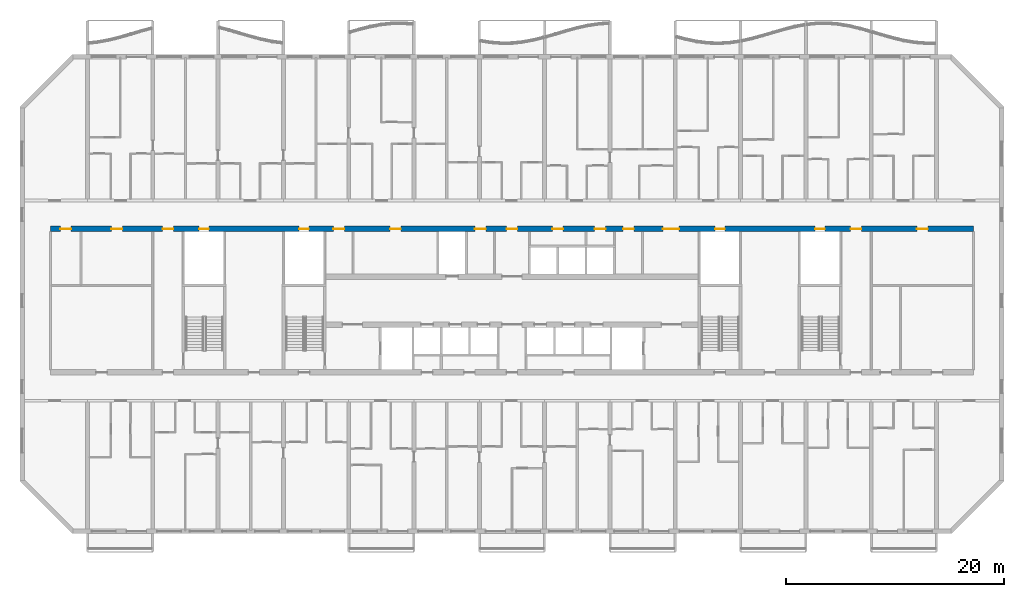
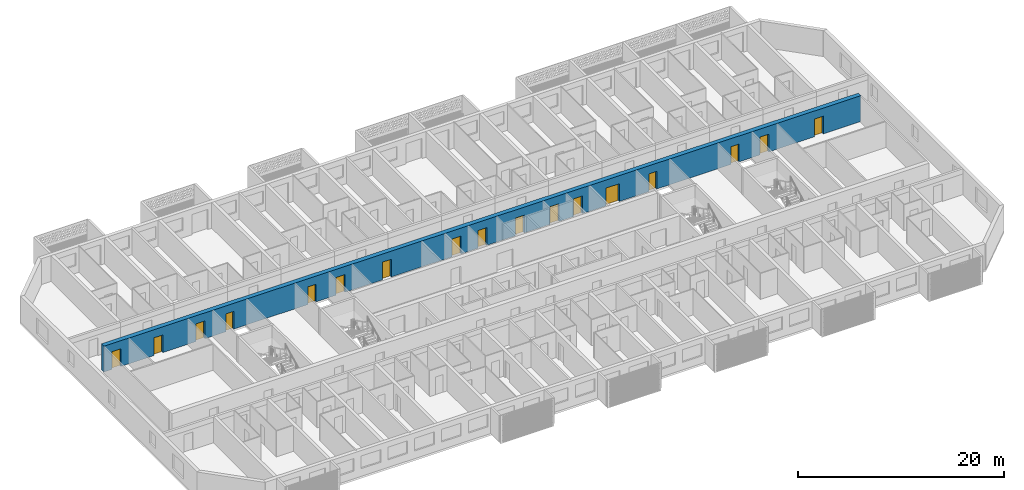
# One storey, part 8 of 27: 17 doors, 1 wall, 17 openings.
"""IFC4 building model written with IfcOpenShell, lengths in metres."""

from ifc_helpers import new_model, si_unit, direction, frame, frame_2d, origin, place, context, subcontext, project, spatial, rectangle, extrude, material, layer, layer_set, type_object, element, fill, save


model = new_model("IFC4")

# Units and contexts
model_context = context("Model", 3, precision=1e-05, world=origin(), true_north=direction((0.0, 1.0)))
body_context = subcontext(model_context, "Body", "Model", "MODEL_VIEW")
ifc_project = project(units=[si_unit("LENGTHUNIT", "METRE"), si_unit("AREAUNIT", "SQUARE_METRE"), si_unit("VOLUMEUNIT", "CUBIC_METRE"), si_unit("PLANEANGLEUNIT", "RADIAN"), si_unit("MASSUNIT", "GRAM", prefix="KILO")], contexts=[model_context])

# Site, building, storey
site_placement = place(None, origin())
site = spatial("IfcSite", under=ifc_project, at=site_placement, CompositionType="ELEMENT")
building_placement = place(site_placement, origin())
building = spatial("IfcBuilding", under=site, at=building_placement, Name="Poui Terraces", CompositionType="ELEMENT")
storey_placement = place(building_placement, frame((0.0, 0.0, 92.699951171875)))
storey = spatial("IfcBuildingStorey", under=building, at=storey_placement, Name="L25", CompositionType="ELEMENT", Elevation=92.699951171875)

# Wall, openings, doors
ifc_material_1 = material(Name="Concrete 65 MPa", Category="concrete")
ifc_layer = layer(ifc_material_1, 0.5)
ifc_layer_set = layer_set([ifc_layer], Name="Concrete 65 MPa")
wall_type = type_object("IfcWallType", Name="SPINE WALL 500 65 MPA", PredefinedType="SOLIDWALL", material=ifc_layer_set)
wall_placement = place(storey_placement, frame((8.60009765625, 27.800048828125, 0.0), z_axis=(0.0, 0.0, 1.0), x_axis=(1.0, 0.0, 0.0)))
wall = element("IfcWall", 1, at=wall_placement, inside=storey, type_object=wall_type, Name="SPINE WALL", PredefinedType="SOLIDWALL", context=body_context, shape_type="SweptSolid", body=[
    extrude(rectangle(XDim=84.7998046875, YDim=0.5, at=frame_2d((42.39990234375, 0.0))), origin(), (0.0, 0.0, 1.0), 3.06005859375),
])
opening_1_placement = place(wall_placement, frame((0.89990234375, 0.0, 0.0)))
opening_1 = element("IfcOpeningElement", 2, at=opening_1_placement, cuts=wall, Name="Opening FD60", PredefinedType="OPENING", context=body_context, shape_type="SweptSolid", body=[
    extrude(rectangle(XDim=1.0, YDim=2.10009765625, at=frame_2d((0.5, 1.050048828125))), frame((0.0, 0.260009765625, 0.0), z_axis=(0.0, -1.0, 0.0), x_axis=(1.0, 0.0, 0.0)), (0.0, 0.0, 1.0), 0.52001953125),
])
opening_2_placement = place(wall_placement, frame((5.60009765625, 0.0, 0.0)))
opening_2 = element("IfcOpeningElement", 3, at=opening_2_placement, cuts=wall, Name="Opening FD60", PredefinedType="OPENING", context=body_context, shape_type="SweptSolid", body=[
    extrude(rectangle(XDim=1.0, YDim=2.10009765625, at=frame_2d((0.5, 1.050048828125))), frame((0.0, 0.260009765625, 0.0), z_axis=(0.0, -1.0, 0.0), x_axis=(1.0, 0.0, 0.0)), (0.0, 0.0, 1.0), 0.52001953125),
])
opening_3_placement = place(wall_placement, frame((10.300048828125, 0.0, 0.0)))
opening_3 = element("IfcOpeningElement", 4, at=opening_3_placement, cuts=wall, Name="Opening FDL", PredefinedType="OPENING", context=body_context, shape_type="SweptSolid", body=[
    extrude(rectangle(XDim=1.0, YDim=2.10009765625, at=frame_2d((0.5, 1.050048828125))), frame((0.0, 0.260009765625, 0.0), z_axis=(0.0, -1.0, 0.0), x_axis=(1.0, 0.0, 0.0)), (0.0, 0.0, 1.0), 0.52001953125),
])
opening_4_placement = place(wall_placement, frame((13.64990234375, 0.0, 0.0)))
opening_4 = element("IfcOpeningElement", 5, at=opening_4_placement, cuts=wall, Name="Opening FDR", PredefinedType="OPENING", context=body_context, shape_type="SweptSolid", body=[
    extrude(rectangle(XDim=0.89990234375, YDim=2.10009765625, at=frame_2d((0.449951171875, 1.050048828125))), frame((0.0, 0.260009765625, 0.0), z_axis=(0.0, -1.0, 0.0), x_axis=(1.0, 0.0, 0.0)), (0.0, 0.0, 1.0), 0.52001953125),
])
opening_5_placement = place(wall_placement, frame((22.85009765625, 0.0, 0.0)))
opening_5 = element("IfcOpeningElement", 6, at=opening_5_placement, cuts=wall, Name="Opening FDR", PredefinedType="OPENING", context=body_context, shape_type="SweptSolid", body=[
    extrude(rectangle(XDim=0.89990234375, YDim=2.10009765625, at=frame_2d((0.449951171875, 1.050048828125))), frame((0.0, 0.260009765625, 0.0), z_axis=(0.0, -1.0, 0.0), x_axis=(1.0, 0.0, 0.0)), (0.0, 0.0, 1.0), 0.52001953125),
])
opening_6_placement = place(wall_placement, frame((26.0, 0.0, 0.0)))
opening_6 = element("IfcOpeningElement", 7, at=opening_6_placement, cuts=wall, Name="Opening FD60", PredefinedType="OPENING", context=body_context, shape_type="SweptSolid", body=[
    extrude(rectangle(XDim=1.0, YDim=2.10009765625, at=frame_2d((0.5, 1.050048828125))), frame((0.0, 0.260009765625, 0.0), z_axis=(0.0, -1.0, 0.0), x_axis=(1.0, 0.0, 0.0)), (0.0, 0.0, 1.0), 0.52001953125),
])
opening_7_placement = place(wall_placement, frame((31.199951171875, 0.0, 0.0)))
opening_7 = element("IfcOpeningElement", 8, at=opening_7_placement, cuts=wall, Name="Opening FD60", PredefinedType="OPENING", context=body_context, shape_type="SweptSolid", body=[
    extrude(rectangle(XDim=1.0, YDim=2.10009765625, at=frame_2d((0.5, 1.050048828125))), frame((0.0, 0.260009765625, 0.0), z_axis=(0.0, -1.0, 0.0), x_axis=(1.0, 0.0, 0.0)), (0.0, 0.0, 1.0), 0.52001953125),
])
opening_8_placement = place(wall_placement, frame((39.0, 0.0, 0.0)))
opening_8 = element("IfcOpeningElement", 9, at=opening_8_placement, cuts=wall, Name="Opening FD60", PredefinedType="OPENING", context=body_context, shape_type="SweptSolid", body=[
    extrude(rectangle(XDim=1.0, YDim=2.10009765625, at=frame_2d((0.5, 1.050048828125))), frame((0.0, 0.260009765625, 0.0), z_axis=(0.0, -1.0, 0.0), x_axis=(1.0, 0.0, 0.0)), (0.0, 0.0, 1.0), 0.52001953125),
])
opening_9_placement = place(wall_placement, frame((41.89990234375, 0.0, 0.0)))
opening_9 = element("IfcOpeningElement", 10, at=opening_9_placement, cuts=wall, Name="Opening FDL", PredefinedType="OPENING", context=body_context, shape_type="SweptSolid", body=[
    extrude(rectangle(XDim=1.0, YDim=2.10009765625, at=frame_2d((0.5, 1.050048828125))), frame((0.0, 0.260009765625, 0.0), z_axis=(0.0, -1.0, 0.0), x_axis=(1.0, 0.0, 0.0)), (0.0, 0.0, 1.0), 0.52001953125),
])
opening_10_placement = place(wall_placement, frame((46.10009765625, 0.0, 0.0)))
opening_10 = element("IfcOpeningElement", 11, at=opening_10_placement, cuts=wall, Name="Opening FD60", PredefinedType="OPENING", context=body_context, shape_type="SweptSolid", body=[
    extrude(rectangle(XDim=1.0, YDim=2.10009765625, at=frame_2d((0.5, 1.050048828125))), frame((0.0, 0.260009765625, 0.0), z_axis=(0.0, -1.0, 0.0), x_axis=(1.0, 0.0, 0.0)), (0.0, 0.0, 1.0), 0.52001953125),
])
opening_11_placement = place(wall_placement, frame((50.0, 0.0, 0.0)))
opening_11 = element("IfcOpeningElement", 12, at=opening_11_placement, cuts=wall, Name="Opening FD60", PredefinedType="OPENING", context=body_context, shape_type="SweptSolid", body=[
    extrude(rectangle(XDim=1.0, YDim=2.10009765625, at=frame_2d((0.5, 1.050048828125))), frame((0.0, 0.260009765625, 0.0), z_axis=(0.0, -1.0, 0.0), x_axis=(1.0, 0.0, 0.0)), (0.0, 0.0, 1.0), 0.52001953125),
])
opening_12_placement = place(wall_placement, frame((52.60009765625, 0.0, 0.0)))
opening_12 = element("IfcOpeningElement", 13, at=opening_12_placement, cuts=wall, Name="Opening FD60", PredefinedType="OPENING", context=body_context, shape_type="SweptSolid", body=[
    extrude(rectangle(XDim=1.0, YDim=2.10009765625, at=frame_2d((0.5, 1.050048828125))), frame((0.0, 0.260009765625, 0.0), z_axis=(0.0, -1.0, 0.0), x_axis=(1.0, 0.0, 0.0)), (0.0, 0.0, 1.0), 0.52001953125),
])
opening_13_placement = place(wall_placement, frame((56.25, 0.0, 0.0)))
opening_13 = element("IfcOpeningElement", 14, at=opening_13_placement, cuts=wall, Name="Opening FDP", PredefinedType="OPENING", context=body_context, shape_type="SweptSolid", body=[
    extrude(rectangle(XDim=1.5, YDim=2.10009765625, at=frame_2d((0.75, 1.050048828125))), frame((0.0, 0.260009765625, 0.0), z_axis=(0.0, -1.0, 0.0), x_axis=(1.0, 0.0, 0.0)), (0.0, 0.0, 1.0), 0.52001953125),
])
opening_14_placement = place(wall_placement, frame((61.050048828125, 0.0, 0.0)))
opening_14 = element("IfcOpeningElement", 15, at=opening_14_placement, cuts=wall, Name="Opening FDR", PredefinedType="OPENING", context=body_context, shape_type="SweptSolid", body=[
    extrude(rectangle(XDim=0.89990234375, YDim=2.10009765625, at=frame_2d((0.449951171875, 1.050048828125))), frame((0.0, 0.260009765625, 0.0), z_axis=(0.0, -1.0, 0.0), x_axis=(1.0, 0.0, 0.0)), (0.0, 0.0, 1.0), 0.52001953125),
])
opening_15_placement = place(wall_placement, frame((70.25, 0.0, 0.0)))
opening_15 = element("IfcOpeningElement", 16, at=opening_15_placement, cuts=wall, Name="Opening FDR", PredefinedType="OPENING", context=body_context, shape_type="SweptSolid", body=[
    extrude(rectangle(XDim=0.89990234375, YDim=2.10009765625, at=frame_2d((0.449951171875, 1.050048828125))), frame((0.0, 0.260009765625, 0.0), z_axis=(0.0, -1.0, 0.0), x_axis=(1.0, 0.0, 0.0)), (0.0, 0.0, 1.0), 0.52001953125),
])
opening_16_placement = place(wall_placement, frame((73.5, 0.0, 0.0)))
opening_16 = element("IfcOpeningElement", 17, at=opening_16_placement, cuts=wall, Name="Opening FDL", PredefinedType="OPENING", context=body_context, shape_type="SweptSolid", body=[
    extrude(rectangle(XDim=1.0, YDim=2.10009765625, at=frame_2d((0.5, 1.050048828125))), frame((0.0, 0.260009765625, 0.0), z_axis=(0.0, -1.0, 0.0), x_axis=(1.0, 0.0, 0.0)), (0.0, 0.0, 1.0), 0.52001953125),
])
opening_17_placement = place(wall_placement, frame((79.60009765625, 0.0, 0.0)))
opening_17 = element("IfcOpeningElement", 18, at=opening_17_placement, cuts=wall, Name="Opening D100", PredefinedType="OPENING", context=body_context, shape_type="SweptSolid", body=[
    extrude(rectangle(XDim=1.0, YDim=2.10009765625, at=frame_2d((0.5, 1.050048828125))), frame((0.0, 0.260009765625, 0.0), z_axis=(0.0, -1.0, 0.0), x_axis=(1.0, 0.0, 0.0)), (0.0, 0.0, 1.0), 0.52001953125),
])
ifc_material_2 = material(Name="Solid core timber door", Category="wood")
door_type_1 = type_object("IfcDoorType", Name="ACCESSIBLE INTERNAL DOOR 1000 X 2100", OperationType="NOTDEFINED", PredefinedType="DOOR", material=ifc_material_2)
door_1_placement = place(opening_17_placement, origin())
door_1 = element("IfcDoor", 19, at=door_1_placement, inside=storey, type_object=door_type_1, Name="ACCESSIBLE INTERNAL DOOR 017", OperationType="SINGLE_SWING_RIGHT", OverallHeight=2.10009765625, OverallWidth=1.0, PredefinedType="DOOR", context=body_context, shape_type="SweptSolid", body=[
    extrude(rectangle(XDim=1.0, YDim=2.10009765625, at=frame_2d((0.5, 1.050048828125))), frame((0.0, 0.02490234375, 0.0), z_axis=(0.0, -1.0, 0.0), x_axis=(1.0, 0.0, 0.0)), (0.0, 0.0, 1.0), 0.050048828125),
])
fill(opening_17, door_1)
ifc_material_3 = material(Name="Steel fire door", Category="steel")
door_type_2 = type_object("IfcDoorType", Name="LOBBY FIRE DOOR 1000 X 2100", OperationType="NOTDEFINED", PredefinedType="DOOR", material=ifc_material_3)
door_2_placement = place(opening_3_placement, origin())
door_2 = element("IfcDoor", 20, at=door_2_placement, inside=storey, type_object=door_type_2, Name="LOBBY FIRE DOOR 003", OperationType="SINGLE_SWING_LEFT", OverallHeight=2.10009765625, OverallWidth=1.0, PredefinedType="DOOR", context=body_context, shape_type="SweptSolid", body=[
    extrude(rectangle(XDim=1.0, YDim=2.10009765625, at=frame_2d((0.5, 1.050048828125))), frame((0.0, 0.02490234375, 0.0), z_axis=(0.0, -1.0, 0.0), x_axis=(1.0, 0.0, 0.0)), (0.0, 0.0, 1.0), 0.050048828125),
])
fill(opening_3, door_2)
door_3_placement = place(opening_9_placement, origin())
door_3 = element("IfcDoor", 21, at=door_3_placement, inside=storey, type_object=door_type_2, Name="LOBBY FIRE DOOR 009", OperationType="SINGLE_SWING_RIGHT", OverallHeight=2.10009765625, OverallWidth=1.0, PredefinedType="DOOR", context=body_context, shape_type="SweptSolid", body=[
    extrude(rectangle(XDim=1.0, YDim=2.10009765625, at=frame_2d((0.5, 1.050048828125))), frame((0.0, 0.02490234375, 0.0), z_axis=(0.0, -1.0, 0.0), x_axis=(1.0, 0.0, 0.0)), (0.0, 0.0, 1.0), 0.050048828125),
])
fill(opening_9, door_3)
door_4_placement = place(opening_16_placement, origin())
door_4 = element("IfcDoor", 22, at=door_4_placement, inside=storey, type_object=door_type_2, Name="LOBBY FIRE DOOR 016", OperationType="SINGLE_SWING_RIGHT", OverallHeight=2.10009765625, OverallWidth=1.0, PredefinedType="DOOR", context=body_context, shape_type="SweptSolid", body=[
    extrude(rectangle(XDim=1.0, YDim=2.10009765625, at=frame_2d((0.5, 1.050048828125))), frame((0.0, 0.02490234375, 0.0), z_axis=(0.0, -1.0, 0.0), x_axis=(1.0, 0.0, 0.0)), (0.0, 0.0, 1.0), 0.050048828125),
])
fill(opening_16, door_4)
door_type_3 = type_object("IfcDoorType", Name="PLANT ROOM DOOR PAIR 1500 X 2100", OperationType="DOUBLE_DOOR_SINGLE_SWING", PredefinedType="DOOR", material=ifc_material_3)
door_5_placement = place(opening_13_placement, origin())
door_5 = element("IfcDoor", 23, at=door_5_placement, inside=storey, type_object=door_type_3, Name="PLANT ROOM DOOR PAIR 013", OperationType="DOUBLE_DOOR_SINGLE_SWING", OverallHeight=2.10009765625, OverallWidth=1.5, PredefinedType="DOOR", context=body_context, shape_type="SweptSolid", body=[
    extrude(rectangle(XDim=1.5, YDim=2.10009765625, at=frame_2d((0.75, 1.050048828125))), frame((0.0, 0.02490234375, 0.0), z_axis=(0.0, -1.0, 0.0), x_axis=(1.0, 0.0, 0.0)), (0.0, 0.0, 1.0), 0.050048828125),
])
fill(opening_13, door_5)
door_type_4 = type_object("IfcDoorType", Name="RISER CUPBOARD DOOR 900 X 2100", OperationType="NOTDEFINED", PredefinedType="DOOR", material=ifc_material_3)
door_6_placement = place(opening_4_placement, origin())
door_6 = element("IfcDoor", 24, at=door_6_placement, inside=storey, type_object=door_type_4, Name="RISER CUPBOARD DOOR 004", OperationType="SINGLE_SWING_LEFT", OverallHeight=2.10009765625, OverallWidth=0.89990234375, PredefinedType="DOOR", context=body_context, shape_type="SweptSolid", body=[
    extrude(rectangle(XDim=0.89990234375, YDim=2.10009765625, at=frame_2d((0.449951171875, 1.050048828125))), frame((0.0, 0.02490234375, 0.0), z_axis=(0.0, -1.0, 0.0), x_axis=(1.0, 0.0, 0.0)), (0.0, 0.0, 1.0), 0.050048828125),
])
fill(opening_4, door_6)
door_7_placement = place(opening_5_placement, origin())
door_7 = element("IfcDoor", 25, at=door_7_placement, inside=storey, type_object=door_type_4, Name="RISER CUPBOARD DOOR 005", OperationType="SINGLE_SWING_LEFT", OverallHeight=2.10009765625, OverallWidth=0.89990234375, PredefinedType="DOOR", context=body_context, shape_type="SweptSolid", body=[
    extrude(rectangle(XDim=0.89990234375, YDim=2.10009765625, at=frame_2d((0.449951171875, 1.050048828125))), frame((0.0, 0.02490234375, 0.0), z_axis=(0.0, -1.0, 0.0), x_axis=(1.0, 0.0, 0.0)), (0.0, 0.0, 1.0), 0.050048828125),
])
fill(opening_5, door_7)
door_8_placement = place(opening_14_placement, origin())
door_8 = element("IfcDoor", 26, at=door_8_placement, inside=storey, type_object=door_type_4, Name="RISER CUPBOARD DOOR 014", OperationType="SINGLE_SWING_RIGHT", OverallHeight=2.10009765625, OverallWidth=0.89990234375, PredefinedType="DOOR", context=body_context, shape_type="SweptSolid", body=[
    extrude(rectangle(XDim=0.89990234375, YDim=2.10009765625, at=frame_2d((0.449951171875, 1.050048828125))), frame((0.0, 0.02490234375, 0.0), z_axis=(0.0, -1.0, 0.0), x_axis=(1.0, 0.0, 0.0)), (0.0, 0.0, 1.0), 0.050048828125),
])
fill(opening_14, door_8)
door_9_placement = place(opening_15_placement, origin())
door_9 = element("IfcDoor", 27, at=door_9_placement, inside=storey, type_object=door_type_4, Name="RISER CUPBOARD DOOR 015", OperationType="SINGLE_SWING_RIGHT", OverallHeight=2.10009765625, OverallWidth=0.89990234375, PredefinedType="DOOR", context=body_context, shape_type="SweptSolid", body=[
    extrude(rectangle(XDim=0.89990234375, YDim=2.10009765625, at=frame_2d((0.449951171875, 1.050048828125))), frame((0.0, 0.02490234375, 0.0), z_axis=(0.0, -1.0, 0.0), x_axis=(1.0, 0.0, 0.0)), (0.0, 0.0, 1.0), 0.050048828125),
])
fill(opening_15, door_9)
door_type_5 = type_object("IfcDoorType", Name="SERVICE ROOM FIRE DOOR 1000 X 2100", OperationType="NOTDEFINED", PredefinedType="DOOR", material=ifc_material_3)
door_10_placement = place(opening_1_placement, origin())
door_10 = element("IfcDoor", 28, at=door_10_placement, inside=storey, type_object=door_type_5, Name="SERVICE ROOM FIRE DOOR 001", OperationType="SINGLE_SWING_RIGHT", OverallHeight=2.10009765625, OverallWidth=1.0, PredefinedType="DOOR", context=body_context, shape_type="SweptSolid", body=[
    extrude(rectangle(XDim=1.0, YDim=2.10009765625, at=frame_2d((0.5, 1.050048828125))), frame((0.0, 0.02490234375, 0.0), z_axis=(0.0, -1.0, 0.0), x_axis=(1.0, 0.0, 0.0)), (0.0, 0.0, 1.0), 0.050048828125),
])
fill(opening_1, door_10)
door_11_placement = place(opening_2_placement, origin())
door_11 = element("IfcDoor", 29, at=door_11_placement, inside=storey, type_object=door_type_5, Name="SERVICE ROOM FIRE DOOR 002", OperationType="SINGLE_SWING_LEFT", OverallHeight=2.10009765625, OverallWidth=1.0, PredefinedType="DOOR", context=body_context, shape_type="SweptSolid", body=[
    extrude(rectangle(XDim=1.0, YDim=2.10009765625, at=frame_2d((0.5, 1.050048828125))), frame((0.0, 0.02490234375, 0.0), z_axis=(0.0, -1.0, 0.0), x_axis=(1.0, 0.0, 0.0)), (0.0, 0.0, 1.0), 0.050048828125),
])
fill(opening_2, door_11)
door_12_placement = place(opening_6_placement, origin())
door_12 = element("IfcDoor", 30, at=door_12_placement, inside=storey, type_object=door_type_5, Name="SERVICE ROOM FIRE DOOR 006", OperationType="SINGLE_SWING_RIGHT", OverallHeight=2.10009765625, OverallWidth=1.0, PredefinedType="DOOR", context=body_context, shape_type="SweptSolid", body=[
    extrude(rectangle(XDim=1.0, YDim=2.10009765625, at=frame_2d((0.5, 1.050048828125))), frame((0.0, 0.02490234375, 0.0), z_axis=(0.0, -1.0, 0.0), x_axis=(1.0, 0.0, 0.0)), (0.0, 0.0, 1.0), 0.050048828125),
])
fill(opening_6, door_12)
door_13_placement = place(opening_7_placement, origin())
door_13 = element("IfcDoor", 31, at=door_13_placement, inside=storey, type_object=door_type_5, Name="SERVICE ROOM FIRE DOOR 007", OperationType="SINGLE_SWING_LEFT", OverallHeight=2.10009765625, OverallWidth=1.0, PredefinedType="DOOR", context=body_context, shape_type="SweptSolid", body=[
    extrude(rectangle(XDim=1.0, YDim=2.10009765625, at=frame_2d((0.5, 1.050048828125))), frame((0.0, 0.02490234375, 0.0), z_axis=(0.0, -1.0, 0.0), x_axis=(1.0, 0.0, 0.0)), (0.0, 0.0, 1.0), 0.050048828125),
])
fill(opening_7, door_13)
door_14_placement = place(opening_8_placement, origin())
door_14 = element("IfcDoor", 32, at=door_14_placement, inside=storey, type_object=door_type_5, Name="SERVICE ROOM FIRE DOOR 008", OperationType="SINGLE_SWING_RIGHT", OverallHeight=2.10009765625, OverallWidth=1.0, PredefinedType="DOOR", context=body_context, shape_type="SweptSolid", body=[
    extrude(rectangle(XDim=1.0, YDim=2.10009765625, at=frame_2d((0.5, 1.050048828125))), frame((0.0, 0.02490234375, 0.0), z_axis=(0.0, -1.0, 0.0), x_axis=(1.0, 0.0, 0.0)), (0.0, 0.0, 1.0), 0.050048828125),
])
fill(opening_8, door_14)
door_15_placement = place(opening_10_placement, origin())
door_15 = element("IfcDoor", 33, at=door_15_placement, inside=storey, type_object=door_type_5, Name="SERVICE ROOM FIRE DOOR 010", OperationType="SINGLE_SWING_LEFT", OverallHeight=2.10009765625, OverallWidth=1.0, PredefinedType="DOOR", context=body_context, shape_type="SweptSolid", body=[
    extrude(rectangle(XDim=1.0, YDim=2.10009765625, at=frame_2d((0.5, 1.050048828125))), frame((0.0, 0.02490234375, 0.0), z_axis=(0.0, -1.0, 0.0), x_axis=(1.0, 0.0, 0.0)), (0.0, 0.0, 1.0), 0.050048828125),
])
fill(opening_10, door_15)
door_16_placement = place(opening_11_placement, origin())
door_16 = element("IfcDoor", 34, at=door_16_placement, inside=storey, type_object=door_type_5, Name="SERVICE ROOM FIRE DOOR 011", OperationType="SINGLE_SWING_RIGHT", OverallHeight=2.10009765625, OverallWidth=1.0, PredefinedType="DOOR", context=body_context, shape_type="SweptSolid", body=[
    extrude(rectangle(XDim=1.0, YDim=2.10009765625, at=frame_2d((0.5, 1.050048828125))), frame((0.0, 0.02490234375, 0.0), z_axis=(0.0, -1.0, 0.0), x_axis=(1.0, 0.0, 0.0)), (0.0, 0.0, 1.0), 0.050048828125),
])
fill(opening_11, door_16)
door_17_placement = place(opening_12_placement, origin())
door_17 = element("IfcDoor", 35, at=door_17_placement, inside=storey, type_object=door_type_5, Name="SERVICE ROOM FIRE DOOR 012", OperationType="SINGLE_SWING_LEFT", OverallHeight=2.10009765625, OverallWidth=1.0, PredefinedType="DOOR", context=body_context, shape_type="SweptSolid", body=[
    extrude(rectangle(XDim=1.0, YDim=2.10009765625, at=frame_2d((0.5, 1.050048828125))), frame((0.0, 0.02490234375, 0.0), z_axis=(0.0, -1.0, 0.0), x_axis=(1.0, 0.0, 0.0)), (0.0, 0.0, 1.0), 0.050048828125),
])
fill(opening_12, door_17)

save(model, "model.ifc")
